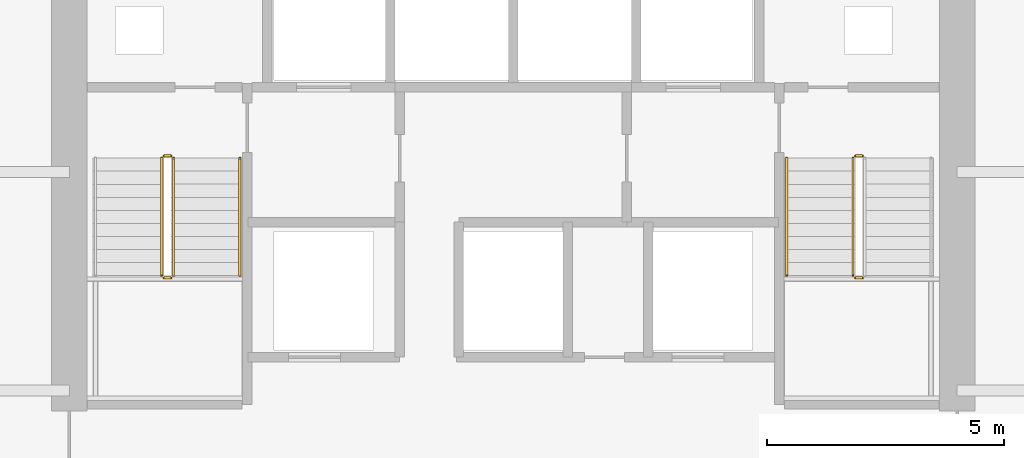
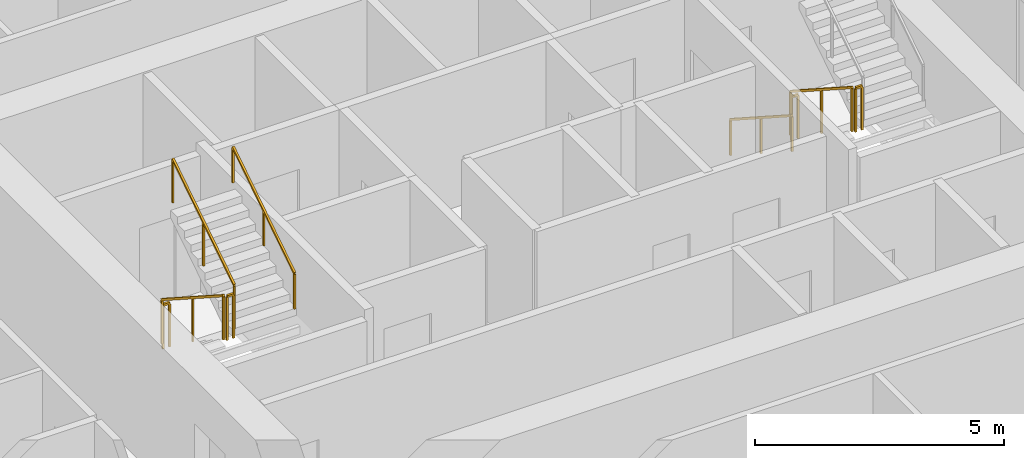
# One storey, part 11 of 12: 9 railings.
"""IFC4 building model written with IfcOpenShell, lengths in metres."""

import ifcopenshell
import ifcopenshell.guid

model = None  # the IFC model being written
_history = None  # IfcOwnerHistory: only IFC2X3 demands one
_inside = {}  # id of a spatial element -> (the spatial element, [elements in it])
_under = {}  # id of a project, library or spatial element -> (it, [spatial elements below it])
_declared = {}  # id of a project -> (the project, [libraries it declares])
_typed = {}  # id of a type object -> (the type object, [elements of that type])
_made_of = {}  # id of a material, layer set ... -> (it, [elements and type objects made of it])


def new_model(schema):
    """Start an empty IFC model of exactly this schema.

    Asked for "IFC4X3", IfcOpenShell would pick the latest addendum, in which some entities
    have other attributes; the version numbers below select the first issue.
    IFC2X3 requires an IfcOwnerHistory on every rooted entity: one is made here for all.
    """
    global model, _history
    if schema == "IFC4X3":
        model = ifcopenshell.file(schema_version=(4, 3, 0, 0))
    else:
        model = ifcopenshell.file(schema=schema)
    _inside.clear()
    _under.clear()
    _declared.clear()
    _typed.clear()
    _made_of.clear()
    _history = None
    if model.schema == "IFC2X3":
        org = make("IfcOrganization", Name="unknown")
        user = make(
            "IfcPersonAndOrganization",
            ThePerson=make("IfcPerson", FamilyName="unknown"),
            TheOrganization=org,
        )
        app = make(
            "IfcApplication",
            ApplicationDeveloper=org,
            Version="unknown",
            ApplicationFullName="unknown",
            ApplicationIdentifier="unknown",
        )
        _history = make(
            "IfcOwnerHistory",
            OwningUser=user,
            OwningApplication=app,
            ChangeAction="ADDED",
            CreationDate=0,
        )
    return model


def make(cls, **values):
    """One entity of the class cls with the attributes given. An attribute that is None is left unset."""
    return model.create_entity(
        cls, **{name: value for name, value in values.items() if value is not None}
    )


def rooted(cls, **values):
    """An entity with a GlobalId (a new one), such as an element, a storey or a relation."""
    return make(cls, GlobalId=ifcopenshell.guid.new(), OwnerHistory=_history, **values)


def si_unit(unit_type, name, prefix=None):
    """IfcSIUnit, for example si_unit("LENGTHUNIT", "METRE", prefix="MILLI")."""
    return make("IfcSIUnit", UnitType=unit_type, Prefix=prefix, Name=name)


def assignment(units):
    """IfcUnitAssignment: the units of a project."""
    return None if units is None else make("IfcUnitAssignment", Units=units)


def point(xyz):
    """IfcCartesianPoint."""
    return None if xyz is None else make("IfcCartesianPoint", Coordinates=xyz)


def direction(xyz):
    """IfcDirection."""
    return None if xyz is None else make("IfcDirection", DirectionRatios=xyz)


def frame(location, z_axis=None, x_axis=None):
    """IfcAxis2Placement3D, a coordinate frame: its origin and axes. An axis left out is left unset."""
    return make(
        "IfcAxis2Placement3D",
        Location=point(location),
        Axis=direction(z_axis),
        RefDirection=direction(x_axis),
    )


def frame_2d(location, x_axis=None):
    """IfcAxis2Placement2D, a coordinate frame in the plane: its origin and x axis."""
    return make(
        "IfcAxis2Placement2D", Location=point(location), RefDirection=direction(x_axis)
    )


def origin():
    """The frame at (0, 0, 0) with its axes left unset."""
    return frame((0.0, 0.0, 0.0))


def origin_2d():
    """The frame at (0, 0) in the plane with its x axis left unset."""
    return frame_2d((0.0, 0.0))


def place(relative_to, where):
    """IfcLocalPlacement: puts the frame where relative to a parent placement (None: the world)."""
    return make(
        "IfcLocalPlacement", PlacementRelTo=relative_to, RelativePlacement=where
    )


def context(
    kind, dimensions, precision=None, world=None, true_north=None, identifier=None
):
    """IfcGeometricRepresentationContext, for example the 3D "Model" context."""
    return make(
        "IfcGeometricRepresentationContext",
        ContextIdentifier=identifier,
        ContextType=kind,
        CoordinateSpaceDimension=dimensions,
        Precision=precision,
        WorldCoordinateSystem=world,
        TrueNorth=true_north,
    )


def subcontext(parent, identifier, kind, view, scale=None):
    """IfcGeometricRepresentationSubContext, for example "Body" below "Model"."""
    return make(
        "IfcGeometricRepresentationSubContext",
        ContextIdentifier=identifier,
        ContextType=kind,
        ParentContext=parent,
        TargetScale=scale,
        TargetView=view,
    )


def project(units=None, contexts=None):
    """IfcProject with its units and contexts."""
    return rooted(
        "IfcProject",
        Name="project",
        RepresentationContexts=contexts,
        UnitsInContext=assignment(units),
    )


def spatial(cls, under=None, at=None, **own):
    """A site, building, storey or space (cls), placed at a placement, below another one or the project."""
    s = rooted(cls, ObjectPlacement=at, **own)
    if under is not None:
        _under.setdefault(under.id(), (under, []))[1].append(s)
    return s


def profile(cls, at=None, kind="AREA", **sizes):
    """A parametric profile (cls). Its sizes go by their IFC names, for example OverallWidth=200.0."""
    return make(cls, ProfileType=kind, Position=at, **sizes)


def rectangle(**sizes):
    """IfcRectangleProfileDef."""
    return profile("IfcRectangleProfileDef", **sizes)


def extrude(swept, where, along, depth):
    """IfcExtrudedAreaSolid: the profile swept, set in the frame where, extruded along a direction by depth."""
    return make(
        "IfcExtrudedAreaSolid",
        SweptArea=swept,
        Position=where,
        ExtrudedDirection=direction(along),
        Depth=depth,
    )


def shape(context_of_items, identifier, shape_type, items):
    """IfcShapeRepresentation: the items that make up one representation, for example the "Body"."""
    return make(
        "IfcShapeRepresentation",
        ContextOfItems=context_of_items,
        RepresentationIdentifier=identifier,
        RepresentationType=shape_type,
        Items=items,
    )


def material(Name=None, Category=None):
    """IfcMaterial."""
    return make("IfcMaterial", Name=Name, Category=Category)


def made_of(thing, what):
    """Note that an element or type object is made of a material, layer set ...; save() writes the relation."""
    if what is not None:
        _made_of.setdefault(what.id(), (what, []))[1].append(thing)
    return thing


def type_object(cls, material=None, **own):
    """A type object (cls), such as IfcWallType, which elements share."""
    return made_of(rooted(cls, **own), material)


def element(
    cls,
    number,
    at=None,
    inside=None,
    cuts=None,
    type_object=None,
    material=None,
    context=None,
    identifier="Body",
    shape_type=None,
    held_by="IfcProductDefinitionShape",
    body=None,
    shapes=None,
    **own,
):
    """One element of the class cls, such as IfcWall. Its Tag is "e" and its number.

    at: its placement. inside: the storey or other place that contains it. cuts: it is an
    opening in that element (IfcRelVoidsElement). A single representation is given by context,
    identifier, shape_type and body (its items); several are given by shapes. held_by: the class
    of the entity that holds the representations. save() writes the other relations.
    """
    e = rooted(cls, Tag="e%d" % number, ObjectPlacement=at, **own)
    if body is not None:
        shapes = [shape(context, identifier, shape_type, body)]
    if shapes is not None:
        e.Representation = make(held_by, Representations=shapes)
    if inside is not None:
        _inside.setdefault(inside.id(), (inside, []))[1].append(e)
    if cuts is not None:
        rooted(
            "IfcRelVoidsElement", RelatingBuildingElement=cuts, RelatedOpeningElement=e
        )
    if type_object is not None:
        _typed.setdefault(type_object.id(), (type_object, []))[1].append(e)
    return made_of(e, material)


def aggregate(whole, parts):
    """IfcRelAggregates: a whole, such as a stair, and the parts it consists of."""
    return rooted("IfcRelAggregates", RelatingObject=whole, RelatedObjects=parts)


def save(model, path):
    """Write the relations noted so far, then the file.

    IfcRelAggregates (storeys below a building ...), IfcRelContainedInSpatialStructure (elements
    in a storey), IfcRelDefinesByType, IfcRelAssociatesMaterial and IfcRelDeclares: one each for
    every whole, place, type object, material and project.
    """
    for whole, parts in _under.values():
        aggregate(whole, parts)
    for where, things in _inside.values():
        rooted(
            "IfcRelContainedInSpatialStructure",
            RelatedElements=things,
            RelatingStructure=where,
        )
    for kind, things in _typed.values():
        rooted("IfcRelDefinesByType", RelatedObjects=things, RelatingType=kind)
    for what, things in _made_of.values():
        rooted("IfcRelAssociatesMaterial", RelatedObjects=things, RelatingMaterial=what)
    for by, libraries in _declared.values():
        rooted("IfcRelDeclares", RelatingContext=by, RelatedDefinitions=libraries)
    model.write(path)


model = new_model("IFC4")

# Units and contexts
model_context = context("Model", 3, precision=1e-05, world=origin(), true_north=direction((0.0, 1.0)))
body_context = subcontext(model_context, "Body", "Model", "MODEL_VIEW")
ifc_project = project(units=[si_unit("LENGTHUNIT", "METRE"), si_unit("AREAUNIT", "SQUARE_METRE"), si_unit("VOLUMEUNIT", "CUBIC_METRE"), si_unit("PLANEANGLEUNIT", "RADIAN"), si_unit("MASSUNIT", "GRAM", prefix="KILO")], contexts=[model_context])

# Site, building, storey
site_placement = place(None, origin())
site = spatial("IfcSite", under=ifc_project, at=site_placement, CompositionType="ELEMENT")
building_placement = place(site_placement, origin())
building = spatial("IfcBuilding", under=site, at=building_placement, Name="Cinnabar Lancet Tower", CompositionType="ELEMENT")
storey_placement = place(building_placement, frame((0.0, 0.0, 123.25)))
storey = spatial("IfcBuildingStorey", under=building, at=storey_placement, Name="L32", CompositionType="ELEMENT", Elevation=123.25)

# Railings
ifc_material_1 = material(Name="Painted galvanized steel balustrade", Category="steel")
railing_type_1 = type_object("IfcRailingType", Name="GUARD-STAIR", PredefinedType="GUARDRAIL", material=ifc_material_1)
railing_1_placement = place(storey_placement, frame((24.97509765625, 28.39990234375, 0.177490234375)))
element("IfcRailing", 1, at=railing_1_placement, inside=storey, type_object=railing_type_1, Name="L32 ST-1 stair guard 1", PredefinedType="GUARDRAIL", context=body_context, shape_type="SweptSolid", body=[
    extrude(rectangle(XDim=0.048095703125, YDim=0.048095703125, at=origin_2d()), frame((0.0, 0.0, 1.076171875), z_axis=(0.0, -0.840183358697, 0.542302428327), x_axis=(1.0, 0.0, 0.0)), (0.0, 0.0, 1.0), 2.945556640625),
    extrude(rectangle(XDim=0.0419921875, YDim=0.0419921875, at=origin_2d()), origin(), (0.0, 0.0, 1.0), 1.052001953125),
    extrude(rectangle(XDim=0.0419921875, YDim=0.0419921875, at=origin_2d()), frame((0.0, -1.2373046875, 0.798828125)), (0.0, 0.0, 1.0), 1.052001953125),
    extrude(rectangle(XDim=0.0419921875, YDim=0.0419921875, at=origin_2d()), frame((0.0, -2.474853515625, 1.597412109375)), (0.0, 0.0, 1.0), 1.052001953125),
])
railing_2_placement = place(storey_placement, frame((25.02490234375, 25.875, 1.77490234375)))
element("IfcRailing", 2, at=railing_2_placement, inside=storey, type_object=railing_type_1, Name="L32 ST-1 stair guard 2", PredefinedType="GUARDRAIL", context=body_context, shape_type="SweptSolid", body=[
    extrude(rectangle(XDim=0.048095703125, YDim=0.048095703125, at=origin_2d()), frame((0.0, 0.0, 1.076171875), z_axis=(1.0, 0.0, 0.0), x_axis=(0.0, 1.0, 0.0)), (0.0, 0.0, 1.0), 0.150146484375),
    extrude(rectangle(XDim=0.0419921875, YDim=0.0419921875, at=origin_2d()), origin(), (0.0, 0.0, 1.0), 1.052001953125),
    extrude(rectangle(XDim=0.0419921875, YDim=0.0419921875, at=origin_2d()), frame((0.150146484375, 0.0, 0.0)), (0.0, 0.0, 1.0), 1.052001953125),
])
railing_3_placement = place(storey_placement, frame((25.22509765625, 25.925048828125, 1.952392578125)))
element("IfcRailing", 3, at=railing_3_placement, inside=storey, type_object=railing_type_1, Name="L32 ST-1 stair guard 3", PredefinedType="GUARDRAIL", context=body_context, shape_type="SweptSolid", body=[
    extrude(rectangle(XDim=0.048095703125, YDim=0.048095703125, at=origin_2d()), frame((0.0, 0.0, 1.076171875), z_axis=(0.0, 0.84014559416, 0.542360932049), x_axis=(-1.0, 0.0, 0.0)), (0.0, 0.0, 1.0), 2.94580078125),
    extrude(rectangle(XDim=0.0419921875, YDim=0.0419921875, at=origin_2d()), origin(), (0.0, 0.0, 1.0), 1.052001953125),
    extrude(rectangle(XDim=0.0419921875, YDim=0.0419921875, at=origin_2d()), frame((0.0, 1.2373046875, 0.798828125)), (0.0, 0.0, 1.0), 1.052001953125),
    extrude(rectangle(XDim=0.0419921875, YDim=0.0419921875, at=origin_2d()), frame((0.0, 2.474853515625, 1.59765625)), (0.0, 0.0, 1.0), 1.052001953125),
])
railing_4_placement = place(storey_placement, frame((25.02490234375, 28.449951171875, 0.0)))
element("IfcRailing", 4, at=railing_4_placement, inside=storey, type_object=railing_type_1, Name="L32 ST-1 stair guard 4", PredefinedType="GUARDRAIL", context=body_context, shape_type="SweptSolid", body=[
    extrude(rectangle(XDim=0.048095703125, YDim=0.048095703125, at=origin_2d()), frame((0.0, 0.0, 1.076171875), z_axis=(1.0, 0.0, 0.0), x_axis=(0.0, 1.0, 0.0)), (0.0, 0.0, 1.0), 0.150146484375),
    extrude(rectangle(XDim=0.0419921875, YDim=0.0419921875, at=origin_2d()), origin(), (0.0, 0.0, 1.0), 1.052001953125),
    extrude(rectangle(XDim=0.0419921875, YDim=0.0419921875, at=origin_2d()), frame((0.150146484375, 0.0, 0.0)), (0.0, 0.0, 1.0), 1.052001953125),
])
railing_5_placement = place(storey_placement, frame((39.574951171875, 28.39990234375, 0.177490234375)))
element("IfcRailing", 5, at=railing_5_placement, inside=storey, type_object=railing_type_1, Name="L32 ST-2 stair guard 1", PredefinedType="GUARDRAIL", context=body_context, shape_type="SweptSolid", body=[
    extrude(rectangle(XDim=0.048095703125, YDim=0.048095703125, at=origin_2d()), frame((0.0, 0.0, 1.076171875), z_axis=(0.0, -0.840183358697, 0.542302428327), x_axis=(1.0, 0.0, 0.0)), (0.0, 0.0, 1.0), 2.945556640625),
    extrude(rectangle(XDim=0.0419921875, YDim=0.0419921875, at=origin_2d()), origin(), (0.0, 0.0, 1.0), 1.052001953125),
    extrude(rectangle(XDim=0.0419921875, YDim=0.0419921875, at=origin_2d()), frame((0.0, -1.2373046875, 0.798828125)), (0.0, 0.0, 1.0), 1.052001953125),
    extrude(rectangle(XDim=0.0419921875, YDim=0.0419921875, at=origin_2d()), frame((0.0, -2.474853515625, 1.597412109375)), (0.0, 0.0, 1.0), 1.052001953125),
])
for number, where, name in (
    (6, (39.625, 25.875, 1.77490234375), "L32 ST-2 stair guard 2"),
    (7, (39.625, 28.449951171875, 0.0), "L32 ST-2 stair guard 4"),
):
    element("IfcRailing", number, at=place(storey_placement, frame(where)), inside=storey, type_object=railing_type_1, Name=name, PredefinedType="GUARDRAIL", context=body_context, shape_type="SweptSolid", body=[
        extrude(rectangle(XDim=0.048095703125, YDim=0.048095703125, at=origin_2d()), frame((0.0, 0.0, 1.076171875), z_axis=(1.0, 0.0, 0.0), x_axis=(0.0, 1.0, 0.0)), (0.0, 0.0, 1.0), 0.14990234375),
        extrude(rectangle(XDim=0.0419921875, YDim=0.0419921875, at=origin_2d()), origin(), (0.0, 0.0, 1.0), 1.052001953125),
        extrude(rectangle(XDim=0.0419921875, YDim=0.0419921875, at=origin_2d()), frame((0.14990234375, 0.0, 0.0)), (0.0, 0.0, 1.0), 1.052001953125),
    ])
ifc_material_2 = material(Name="Brushed stainless steel handrail", Category="steel")
railing_type_2 = type_object("IfcRailingType", Name="HANDRAIL-STAIR", PredefinedType="HANDRAIL", material=ifc_material_2)
railing_6_placement = place(storey_placement, frame((26.625, 25.925048828125, 1.952392578125)))
element("IfcRailing", 8, at=railing_6_placement, inside=storey, type_object=railing_type_2, Name="L32 ST-1 stair handrail 2", PredefinedType="HANDRAIL", context=body_context, shape_type="SweptSolid", body=[
    extrude(rectangle(XDim=0.048095703125, YDim=0.048095703125, at=origin_2d()), frame((0.0, 0.0, 0.8759765625), z_axis=(0.0, 0.84014559416, 0.542360932049), x_axis=(-1.0, 0.0, 0.0)), (0.0, 0.0, 1.0), 2.94580078125),
    extrude(rectangle(XDim=0.0419921875, YDim=0.0419921875, at=origin_2d()), origin(), (0.0, 0.0, 1.0), 0.851806640625),
    extrude(rectangle(XDim=0.0419921875, YDim=0.0419921875, at=origin_2d()), frame((0.0, 1.2373046875, 0.798828125)), (0.0, 0.0, 1.0), 0.851806640625),
    extrude(rectangle(XDim=0.0419921875, YDim=0.0419921875, at=origin_2d()), frame((0.0, 2.474853515625, 1.59765625)), (0.0, 0.0, 1.0), 0.851806640625),
])
railing_7_placement = place(storey_placement, frame((38.175048828125, 28.39990234375, 0.177490234375)))
element("IfcRailing", 9, at=railing_7_placement, inside=storey, type_object=railing_type_2, Name="L32 ST-2 stair handrail 1", PredefinedType="HANDRAIL", context=body_context, shape_type="SweptSolid", body=[
    extrude(rectangle(XDim=0.048095703125, YDim=0.048095703125, at=origin_2d()), frame((0.0, 0.0, 0.8759765625), z_axis=(0.0, -0.840183358697, 0.542302428327), x_axis=(1.0, 0.0, 0.0)), (0.0, 0.0, 1.0), 2.945556640625),
    extrude(rectangle(XDim=0.0419921875, YDim=0.0419921875, at=origin_2d()), origin(), (0.0, 0.0, 1.0), 0.851806640625),
    extrude(rectangle(XDim=0.0419921875, YDim=0.0419921875, at=origin_2d()), frame((0.0, -1.2373046875, 0.798828125)), (0.0, 0.0, 1.0), 0.851806640625),
    extrude(rectangle(XDim=0.0419921875, YDim=0.0419921875, at=origin_2d()), frame((0.0, -2.474853515625, 1.597412109375)), (0.0, 0.0, 1.0), 0.851806640625),
])

save(model, "model.ifc")
